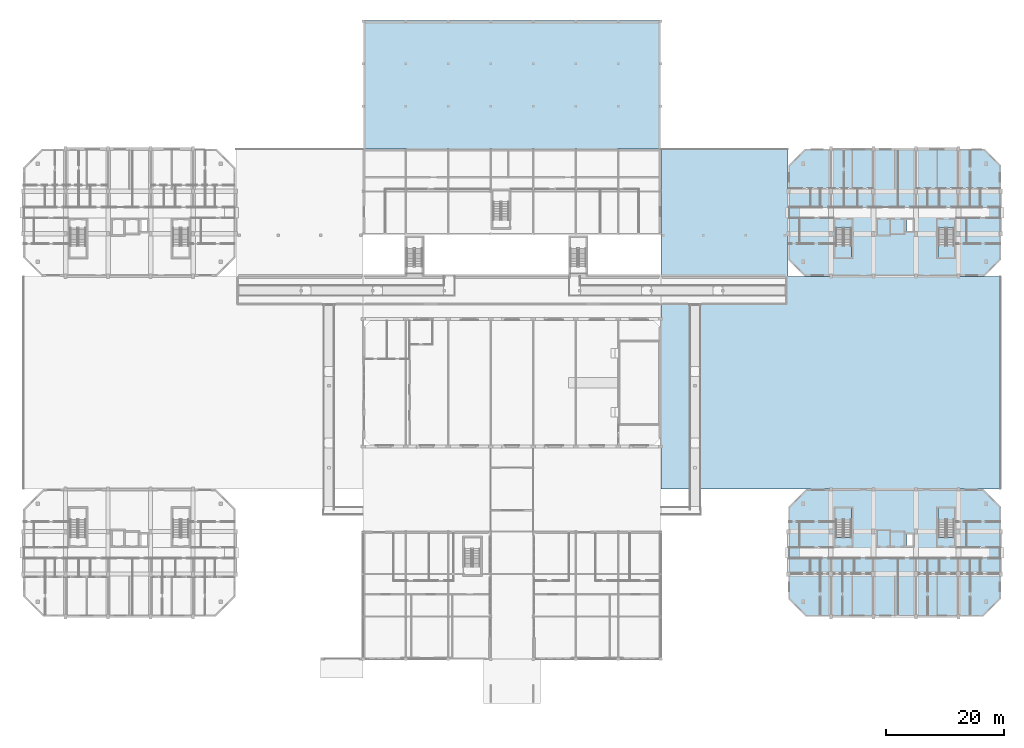
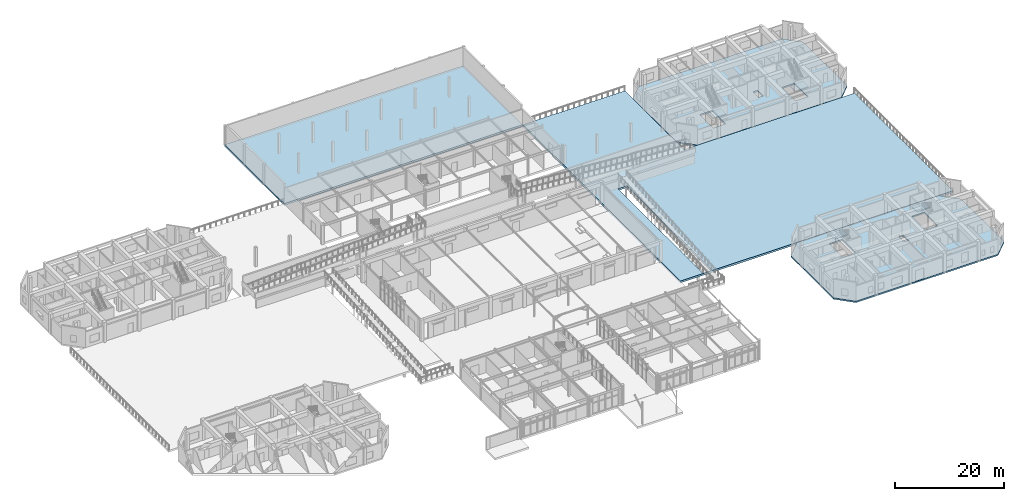
# One storey, part 46 of 85: 8 slabs, 4 elements without a shape of their own.
"""IFC4 building model written with IfcOpenShell, lengths in metres."""

from ifc_helpers import new_model, si_unit, direction, frame, origin, place, context, subcontext, project, spatial, polyline, outline, extrude, material, layer, layer_set, type_object, element, aggregate, save


model = new_model("IFC4")

# Units and contexts
model_context = context("Model", 3, precision=1e-05, world=origin(), true_north=direction((0.0, 1.0)))
body_context = subcontext(model_context, "Body", "Model", "MODEL_VIEW")
ifc_project = project(units=[si_unit("LENGTHUNIT", "METRE"), si_unit("AREAUNIT", "SQUARE_METRE"), si_unit("VOLUMEUNIT", "CUBIC_METRE"), si_unit("PLANEANGLEUNIT", "RADIAN"), si_unit("MASSUNIT", "GRAM", prefix="KILO")], contexts=[model_context])

# Site, building, storey
site_placement = place(None, origin())
site = spatial("IfcSite", under=ifc_project, at=site_placement, CompositionType="ELEMENT")
building_placement = place(site_placement, origin())
building = spatial("IfcBuilding", under=site, at=building_placement, Name="Ochrevale Crest", CompositionType="ELEMENT")
storey_placement = place(building_placement, origin())
storey = spatial("IfcBuildingStorey", under=building, at=storey_placement, Name="L00", CompositionType="ELEMENT", Elevation=0.0)

# Slabs
ifc_material_1 = material(Name="Concrete C40/50", Category="concrete")
ifc_layer_1 = layer(ifc_material_1, 0.4150390625)
ifc_layer_set_1 = layer_set([ifc_layer_1], Name="Concrete C40/50")
slab_type_1 = type_object("IfcSlabType", Name="SLB-HALL-300", PredefinedType="FLOOR", material=ifc_layer_set_1)
slab_1_placement = place(storey_placement, frame((0.0, 0.0, -0.419921875)))
element("IfcSlab", 1, at=slab_1_placement, inside=storey, type_object=slab_type_1, Name="Nursery play court structural grade slab", PredefinedType="FLOOR", context=body_context, shape_type="SweptSolid", body=[
    extrude(outline(polyline([(57.625, 93.6201171875), (107.97509765625, 93.6201171875), (107.97509765625, 115.35009765625), (57.625, 115.35009765625), (57.625, 93.6201171875)])), origin(), (0.0, 0.0, 1.0), 0.419921875),
])
ifc_layer_2 = layer(ifc_material_1, 0.419921875)
ifc_layer_set_2 = layer_set([ifc_layer_2], Name="Concrete C40/50")
slab_type_2 = type_object("IfcSlabType", Name="SLB-PLAZA-340", PredefinedType="FLOOR", material=ifc_layer_set_2)
slab_2_placement = place(storey_placement, frame((0.0, 0.0, -0.419921875)))
element("IfcSlab", 2, at=slab_2_placement, inside=storey, type_object=slab_type_2, Name="East podium courtyard plaza deck over B1", PredefinedType="FLOOR", context=body_context, shape_type="SweptSolid", body=[
    extrude(outline(polyline([(108.02490234375, 36.02001953125), (165.60009765625, 36.02001953125), (165.60009765625, 71.97998046875), (129.580078125, 71.97998046875), (129.580078125, 93.60009765625), (108.02490234375, 93.60009765625), (108.02490234375, 36.02001953125)]), holes=[polyline([(112.85009765625, 36.219970703125), (114.75, 36.219970703125), (114.75, 67.199951171875), (112.85009765625, 67.199951171875), (112.85009765625, 36.219970703125)])]), origin(), (0.0, 0.0, 1.0), 0.419921875),
])
ifc_material_2 = material(Name="Precast concrete C40/50", Category="concrete")
ifc_layer_3 = layer(ifc_material_2, 0.324951171875)
ifc_layer_set_3 = layer_set([ifc_layer_3], Name="Precast concrete C40/50")
slab_type_3 = type_object("IfcSlabType", Name="SLB-POD-325", PredefinedType="FLOOR", material=ifc_layer_set_3)
slab_3_placement = place(storey_placement, frame((0.0, 0.0, -0.324951171875)))
element("IfcSlab", 3, at=slab_3_placement, inside=storey, type_object=slab_type_3, Name="Block C L00 composite hollowcore floor slab", PredefinedType="FLOOR", context=body_context, shape_type="SweptSolid", body=[
    extrude(outline(polyline([(132.60009765625, 14.39990234375), (162.60009765625, 14.39990234375), (165.60009765625, 17.39990234375), (165.60009765625, 33.0), (162.60009765625, 36.0), (132.60009765625, 36.0), (129.60009765625, 33.0), (129.60009765625, 17.39990234375), (132.60009765625, 14.39990234375)]), holes=[polyline([(140.25, 27.824951171875), (140.25, 32.72509765625), (137.60009765625, 32.72509765625), (137.60009765625, 27.824951171875), (140.25, 27.824951171875)]), polyline([(157.64990234375, 27.824951171875), (157.64990234375, 32.72509765625), (155.0, 32.72509765625), (155.0, 27.824951171875), (157.64990234375, 27.824951171875)]), polyline([(149.669921875, 26.419921875), (150.679931640625, 26.419921875), (150.679931640625, 28.3798828125), (149.669921875, 28.3798828125), (149.669921875, 26.419921875)])]), origin(), (0.0, 0.0, 1.0), 0.324951171875),
])
slab_4_placement = place(storey_placement, frame((0.0, 0.0, -0.324951171875)))
element("IfcSlab", 4, at=slab_4_placement, inside=storey, type_object=slab_type_3, Name="Block D L00 composite hollowcore floor slab", PredefinedType="FLOOR", context=body_context, shape_type="SweptSolid", body=[
    extrude(outline(polyline([(132.39990234375, 72.0), (162.800048828125, 72.0), (165.60009765625, 74.800048828125), (165.60009765625, 90.800048828125), (162.800048828125, 93.60009765625), (132.39990234375, 93.60009765625), (129.60009765625, 90.800048828125), (129.60009765625, 74.800048828125), (132.39990234375, 72.0)]), holes=[polyline([(137.60009765625, 80.175048828125), (137.60009765625, 75.27490234375), (140.25, 75.27490234375), (140.25, 80.175048828125), (137.60009765625, 80.175048828125)]), polyline([(155.0, 80.175048828125), (155.0, 75.27490234375), (157.64990234375, 75.27490234375), (157.64990234375, 80.175048828125), (155.0, 80.175048828125)]), polyline([(149.669921875, 79.6201171875), (150.679931640625, 79.6201171875), (150.679931640625, 81.580078125), (149.669921875, 81.580078125), (149.669921875, 79.6201171875)])]), origin(), (0.0, 0.0, 1.0), 0.324951171875),
])

# Stair, slab
stair_type = type_object("IfcStairType", Name="ST-CORE-DOG", PredefinedType="HALF_TURN_STAIR", material=ifc_material_2)
stair_1_placement = place(storey_placement, origin())
stair_1 = element("IfcStair", 5, at=stair_1_placement, inside=storey, type_object=stair_type, Name="L00 Block C Fire Stair 1", PredefinedType="HALF_TURN_STAIR")
ifc_layer_4 = layer(ifc_material_2, 0.199951171875)
ifc_layer_set_4 = layer_set([ifc_layer_4], Name="Precast concrete C40/50")
slab_type_4 = type_object("IfcSlabType", Name="SLB-ST-LAND", PredefinedType="LANDING", material=ifc_layer_set_4)
slab_5_placement = place(storey_placement, frame((0.0, 0.0, 2.050048828125)))
slab_5 = element("IfcSlab", 6, at=slab_5_placement, type_object=slab_type_4, Name="ST-C1 landing 1", PredefinedType="LANDING", context=body_context, shape_type="SweptSolid", body=[
    extrude(outline(polyline([(140.330078125, 30.77490234375), (140.330078125, 32.804931640625), (137.52001953125, 32.804931640625), (137.52001953125, 30.77490234375), (140.330078125, 30.77490234375)])), origin(), (0.0, 0.0, 1.0), 0.199951171875),
])
aggregate(stair_1, [slab_5])

stair_2_placement = place(storey_placement, origin())
stair_2 = element("IfcStair", 7, at=stair_2_placement, inside=storey, type_object=stair_type, Name="L00 Block C Fire Stair 2", PredefinedType="HALF_TURN_STAIR")
slab_6_placement = place(storey_placement, frame((0.0, 0.0, 2.050048828125)))
slab_6 = element("IfcSlab", 8, at=slab_6_placement, type_object=slab_type_4, Name="ST-C2 landing 1", PredefinedType="LANDING", context=body_context, shape_type="SweptSolid", body=[
    extrude(outline(polyline([(157.72998046875, 30.77490234375), (157.72998046875, 32.804931640625), (154.919921875, 32.804931640625), (154.919921875, 30.77490234375), (157.72998046875, 30.77490234375)])), origin(), (0.0, 0.0, 1.0), 0.199951171875),
])
aggregate(stair_2, [slab_6])

stair_3_placement = place(storey_placement, origin())
stair_3 = element("IfcStair", 9, at=stair_3_placement, inside=storey, type_object=stair_type, Name="L00 Block D Fire Stair 1", PredefinedType="HALF_TURN_STAIR")
slab_7_placement = place(storey_placement, frame((0.0, 0.0, 2.050048828125)))
slab_7 = element("IfcSlab", 10, at=slab_7_placement, type_object=slab_type_4, Name="ST-D1 landing 1", PredefinedType="LANDING", context=body_context, shape_type="SweptSolid", body=[
    extrude(outline(polyline([(137.52001953125, 77.22509765625), (137.52001953125, 75.195068359375), (140.330078125, 75.195068359375), (140.330078125, 77.22509765625), (137.52001953125, 77.22509765625)])), origin(), (0.0, 0.0, 1.0), 0.199951171875),
])
aggregate(stair_3, [slab_7])

stair_4_placement = place(storey_placement, origin())
stair_4 = element("IfcStair", 11, at=stair_4_placement, inside=storey, type_object=stair_type, Name="L00 Block D Fire Stair 2", PredefinedType="HALF_TURN_STAIR")
slab_8_placement = place(storey_placement, frame((0.0, 0.0, 2.050048828125)))
slab_8 = element("IfcSlab", 12, at=slab_8_placement, type_object=slab_type_4, Name="ST-D2 landing 1", PredefinedType="LANDING", context=body_context, shape_type="SweptSolid", body=[
    extrude(outline(polyline([(154.919921875, 77.22509765625), (154.919921875, 75.195068359375), (157.72998046875, 75.195068359375), (157.72998046875, 77.22509765625), (154.919921875, 77.22509765625)])), origin(), (0.0, 0.0, 1.0), 0.199951171875),
])
aggregate(stair_4, [slab_8])

save(model, "model.ifc")
